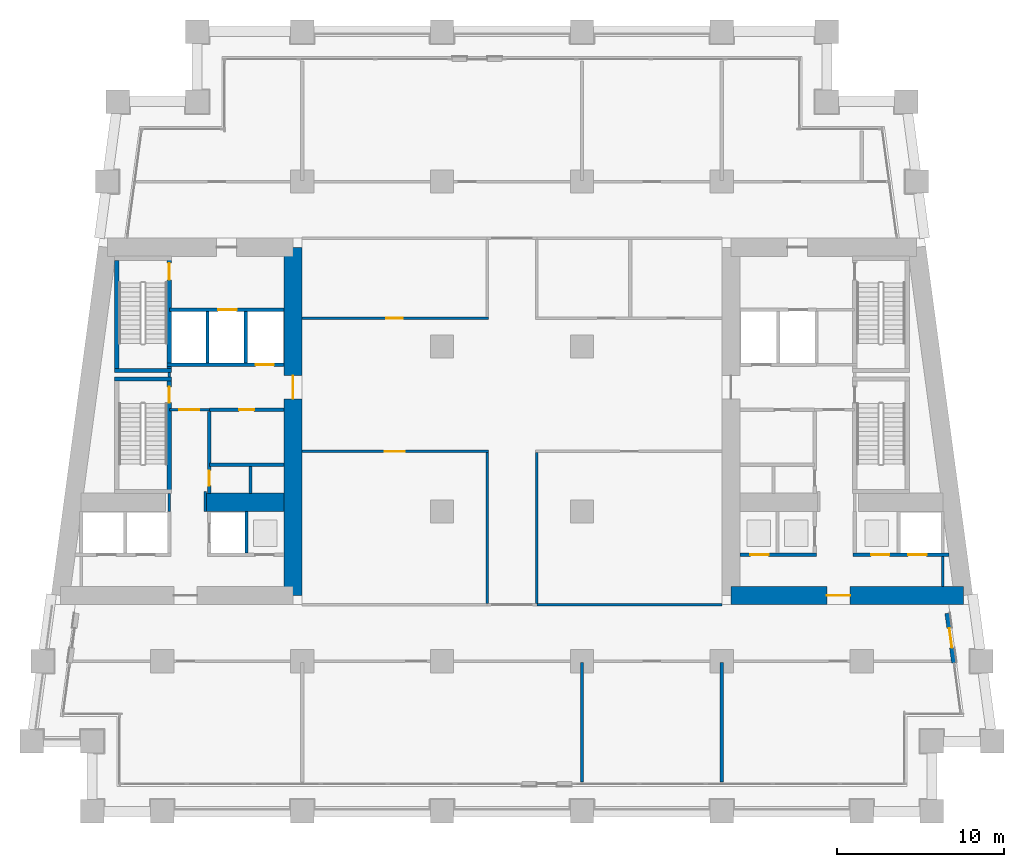
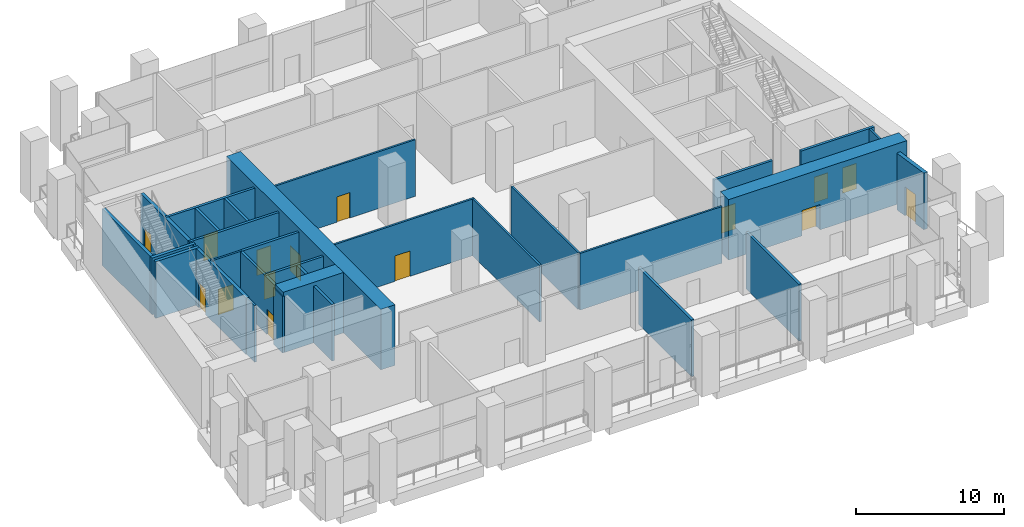
# One storey, part 8 of 15: 32 walls, 15 doors, 15 openings.
"""IFC4 building model written with IfcOpenShell, lengths in metres."""

from ifc_helpers import new_model, si_unit, direction, frame, frame_2d, origin, place, context, subcontext, project, spatial, rectangle, extrude, material, layer, layer_set, type_object, element, fill, save


model = new_model("IFC4")

# Units and contexts
model_context = context("Model", 3, precision=1e-05, world=origin(), true_north=direction((0.0, 1.0)))
body_context = subcontext(model_context, "Body", "Model", "MODEL_VIEW")
ifc_project = project(units=[si_unit("LENGTHUNIT", "METRE"), si_unit("AREAUNIT", "SQUARE_METRE"), si_unit("VOLUMEUNIT", "CUBIC_METRE"), si_unit("PLANEANGLEUNIT", "RADIAN"), si_unit("MASSUNIT", "GRAM", prefix="KILO")], contexts=[model_context])

# Site, building, storey
site_placement = place(None, origin())
site = spatial("IfcSite", under=ifc_project, at=site_placement, CompositionType="ELEMENT")
building_placement = place(site_placement, origin())
building = spatial("IfcBuilding", under=site, at=building_placement, Name="Candeia Pilgrim Tower and Theatre", CompositionType="ELEMENT")
storey_placement = place(building_placement, frame((0.0, 0.0, 86.0)))
storey = spatial("IfcBuildingStorey", under=building, at=storey_placement, Name="L19", CompositionType="ELEMENT", Elevation=86.0)

# Wall, opening, door
ifc_material_1 = material(Name="Concrete C80/95", Category="concrete")
ifc_layer_1 = layer(ifc_material_1, 1.10009765625)
ifc_layer_set_1 = layer_set([ifc_layer_1], Name="Core wall 1100 C80/95")
wall_type_1 = type_object("IfcWallType", Name="Core wall 1100 C80/95", PredefinedType="SHEAR", material=ifc_layer_set_1)
wall_1_placement = place(storey_placement, frame((100.25, 131.85009765625, 0.0), z_axis=(0.0, 0.0, 1.0), x_axis=(0.0, -1.0, 0.0)))
wall_1 = element("IfcWall", 1, at=wall_1_placement, inside=storey, type_object=wall_type_1, Name="Core wall W2", PredefinedType="SHEAR", context=body_context, shape_type="SweptSolid", body=[
    extrude(rectangle(XDim=20.900146484375, YDim=1.10009765625, at=frame_2d((10.4501953125, 0.0))), origin(), (0.0, 0.0, 1.0), 5.0),
])
opening_1_placement = place(wall_1_placement, frame((7.699951171875, 0.0, 0.0)))
opening_1 = element("IfcOpeningElement", 2, at=opening_1_placement, cuts=wall_1, Name="Opening L19-D029", PredefinedType="OPENING", context=body_context, shape_type="SweptSolid", body=[
    extrude(rectangle(XDim=1.39990234375, YDim=2.10009765625, at=frame_2d((0.699951171875, 1.050048828125))), frame((0.0, 0.56005859375, 0.0), z_axis=(0.0, -1.0, 0.0), x_axis=(1.0, 0.0, 0.0)), (0.0, 0.0, 1.0), 1.1201171875),
])
ifc_material_2 = material(Name="Steel fire door set", Category="steel")
door_type_1 = type_object("IfcDoorType", Name="D-1400-FD60", OperationType="NOTDEFINED", PredefinedType="DOOR", material=ifc_material_2)
door_1_placement = place(opening_1_placement, origin())
door_1 = element("IfcDoor", 3, at=door_1_placement, inside=storey, type_object=door_type_1, Name="Door L19-D029", OperationType="SINGLE_SWING_RIGHT", OverallHeight=2.10009765625, OverallWidth=1.39990234375, PredefinedType="DOOR", context=body_context, shape_type="SweptSolid", body=[
    extrude(rectangle(XDim=1.39990234375, YDim=2.10009765625, at=frame_2d((0.699951171875, 1.050048828125))), frame((0.0, 0.02490234375, 0.0), z_axis=(0.0, -1.0, 0.0), x_axis=(1.0, 0.0, 0.0)), (0.0, 0.0, 1.0), 0.050048828125),
])
fill(opening_1, door_1)

# Wall
wall_2_placement = place(storey_placement, frame((95.0, 116.550048828125, 0.0), z_axis=(0.0, 0.0, 1.0), x_axis=(1.0, 0.0, 0.0)))
element("IfcWall", 4, at=wall_2_placement, inside=storey, type_object=wall_type_1, Name="Core wall W6", PredefinedType="SHEAR", context=body_context, shape_type="SweptSolid", body=[
    extrude(rectangle(XDim=4.699951171875, YDim=1.10009765625, at=frame_2d((2.35009765625, 0.0))), origin(), (0.0, 0.0, 1.0), 5.0),
])

# Wall, opening, door
wall_3_placement = place(storey_placement, frame((140.501708984375, 110.949951171875, 0.0), z_axis=(0.0, 0.0, 1.0), x_axis=(-1.0, 0.0, 0.0)))
wall_3 = element("IfcWall", 5, at=wall_3_placement, inside=storey, type_object=wall_type_1, Name="Core wall E3", PredefinedType="SHEAR", context=body_context, shape_type="SweptSolid", body=[
    extrude(rectangle(XDim=13.95166015625, YDim=1.10009765625, at=frame_2d((6.975830078125, 0.0))), origin(), (0.0, 0.0, 1.0), 5.0),
])
opening_2_placement = place(wall_3_placement, frame((6.80419921875, 0.0, 0.0)))
opening_2 = element("IfcOpeningElement", 6, at=opening_2_placement, cuts=wall_3, Name="Opening L19-D030", PredefinedType="OPENING", context=body_context, shape_type="SweptSolid", body=[
    extrude(rectangle(XDim=1.39990234375, YDim=2.10009765625, at=frame_2d((0.699951171875, 1.050048828125))), frame((0.0, 0.56005859375, 0.0), z_axis=(0.0, -1.0, 0.0), x_axis=(1.0, 0.0, 0.0)), (0.0, 0.0, 1.0), 1.1201171875),
])
door_2_placement = place(opening_2_placement, origin())
door_2 = element("IfcDoor", 7, at=door_2_placement, inside=storey, type_object=door_type_1, Name="Door L19-D030", OperationType="SINGLE_SWING_LEFT", OverallHeight=2.10009765625, OverallWidth=1.39990234375, PredefinedType="DOOR", context=body_context, shape_type="SweptSolid", body=[
    extrude(rectangle(XDim=1.39990234375, YDim=2.10009765625, at=frame_2d((0.699951171875, 1.050048828125))), frame((0.0, 0.02490234375, 0.0), z_axis=(0.0, -1.0, 0.0), x_axis=(1.0, 0.0, 0.0)), (0.0, 0.0, 1.0), 0.050048828125),
])
fill(opening_2, door_2)

ifc_material_3 = material(Name="Ceramic block masonry", Category="masonry")
ifc_layer_2 = layer(ifc_material_3, 0.300048828125)
ifc_layer_set_2 = layer_set([ifc_layer_2], Name="EW2 entrance infill wall 300")
wall_type_2 = type_object("IfcWallType", Name="EW2 entrance infill wall 300", PredefinedType="SOLIDWALL", material=ifc_layer_set_2)
wall_4_placement = place(storey_placement, frame((139.935302734375, 106.913330078125, 0.0), z_axis=(0.0, 0.0, 1.0), x_axis=(-0.133464275305, 0.991053624794, 0.0)))
wall_4 = element("IfcWall", 8, at=wall_4_placement, inside=storey, type_object=wall_type_2, Name="Infill wall L19", PredefinedType="SOLIDWALL", context=body_context, shape_type="SweptSolid", body=[
    extrude(rectangle(XDim=3.0, YDim=0.300048828125, at=frame_2d((1.5, 0.0))), origin(), (0.0, 0.0, 1.0), 4.679931640625),
])
opening_3_placement = place(wall_4_placement, frame((0.89990234375, 0.0, 0.0)))
opening_3 = element("IfcOpeningElement", 9, at=opening_3_placement, cuts=wall_4, Name="Opening L19-ED202", PredefinedType="OPENING", context=body_context, shape_type="SweptSolid", body=[
    extrude(rectangle(XDim=1.199951171875, YDim=2.39990234375, at=frame_2d((0.60009765625, 1.199951171875))), frame((0.0, 0.16015625, 0.0), z_axis=(0.0, -1.0, 0.0), x_axis=(1.0, 0.0, 0.0)), (0.0, 0.0, 1.0), 0.320068359375),
])
ifc_material_4 = material(Name="Aluminium framed glazed door", Category="aluminium")
door_type_2 = type_object("IfcDoorType", Name="Loggia door 1200x2400", OperationType="DOUBLE_DOOR_SINGLE_SWING", PredefinedType="DOOR", material=ifc_material_4)
door_3_placement = place(opening_3_placement, origin())
door_3 = element("IfcDoor", 10, at=door_3_placement, inside=storey, type_object=door_type_2, Name="Loggia door L19-ED202", OperationType="DOUBLE_DOOR_SINGLE_SWING", OverallHeight=2.39990234375, OverallWidth=1.199951171875, PredefinedType="DOOR", context=body_context, shape_type="SweptSolid", body=[
    extrude(rectangle(XDim=1.199951171875, YDim=2.39990234375, at=frame_2d((0.60009765625, 1.199951171875))), frame((0.0, 0.02490234375, 0.0), z_axis=(0.0, -1.0, 0.0), x_axis=(1.0, 0.0, 0.0)), (0.0, 0.0, 1.0), 0.050048828125),
])
fill(opening_3, door_3)

ifc_material_5 = material(Name="Gypsum board partition on steel studs", Category="steel")
ifc_layer_3 = layer(ifc_material_5, 0.14990234375)
ifc_layer_set_3 = layer_set([ifc_layer_3], Name="PW-150 lobby wall")
wall_type_3 = type_object("IfcWallType", Name="PW-150 lobby wall", PredefinedType="PARTITIONING", material=ifc_layer_set_3)
wall_5_placement = place(storey_placement, frame((100.800048828125, 119.60009765625, 0.0), z_axis=(0.0, 0.0, 1.0), x_axis=(1.0, 0.0, 0.0)))
wall_5 = element("IfcWall", 11, at=wall_5_placement, inside=storey, type_object=wall_type_3, Name="Lobby wall L19-013", PredefinedType="PARTITIONING", context=body_context, shape_type="SweptSolid", body=[
    extrude(rectangle(XDim=11.175048828125, YDim=0.14990234375, at=frame_2d((5.58740234375, 0.0))), origin(), (0.0, 0.0, 1.0), 4.679931640625),
])
opening_4_placement = place(wall_5_placement, frame((4.949951171875, 0.0, 0.0)))
opening_4 = element("IfcOpeningElement", 12, at=opening_4_placement, cuts=wall_5, Name="Opening L19-D003", PredefinedType="OPENING", context=body_context, shape_type="SweptSolid", body=[
    extrude(rectangle(XDim=1.199951171875, YDim=2.10009765625, at=frame_2d((0.60009765625, 1.050048828125))), frame((0.0, 0.0849609375, 0.0), z_axis=(0.0, -1.0, 0.0), x_axis=(1.0, 0.0, 0.0)), (0.0, 0.0, 1.0), 0.169921875),
])
door_type_3 = type_object("IfcDoorType", Name="D-1200-FD30S", OperationType="NOTDEFINED", PredefinedType="DOOR", material=ifc_material_2)
door_4_placement = place(opening_4_placement, origin())
door_4 = element("IfcDoor", 13, at=door_4_placement, inside=storey, type_object=door_type_3, Name="Door L19-D003", OperationType="SINGLE_SWING_RIGHT", OverallHeight=2.10009765625, OverallWidth=1.199951171875, PredefinedType="DOOR", context=body_context, shape_type="SweptSolid", body=[
    extrude(rectangle(XDim=1.199951171875, YDim=2.10009765625, at=frame_2d((0.60009765625, 1.050048828125))), frame((0.0, 0.02490234375, 0.0), z_axis=(0.0, -1.0, 0.0), x_axis=(1.0, 0.0, 0.0)), (0.0, 0.0, 1.0), 0.050048828125),
])
fill(opening_4, door_4)

wall_6_placement = place(storey_placement, frame((92.826904296875, 122.10009765625, 0.0), z_axis=(0.0, 0.0, 1.0), x_axis=(1.0, 0.0, 0.0)))
wall_6 = element("IfcWall", 14, at=wall_6_placement, inside=storey, type_object=wall_type_3, Name="Lobby wall L19-017", PredefinedType="PARTITIONING", context=body_context, shape_type="SweptSolid", body=[
    extrude(rectangle(XDim=2.400146484375, YDim=0.14990234375, at=frame_2d((1.2001953125, 0.0))), origin(), (0.0, 0.0, 1.0), 4.679931640625),
])
opening_5_placement = place(wall_6_placement, frame((0.60009765625, 0.0, 0.0)))
opening_5 = element("IfcOpeningElement", 15, at=opening_5_placement, cuts=wall_6, Name="Opening L19-D017", PredefinedType="OPENING", context=body_context, shape_type="SweptSolid", body=[
    extrude(rectangle(XDim=1.199951171875, YDim=2.10009765625, at=frame_2d((0.60009765625, 1.050048828125))), frame((0.0, 0.0849609375, 0.0), z_axis=(0.0, -1.0, 0.0), x_axis=(1.0, 0.0, 0.0)), (0.0, 0.0, 1.0), 0.169921875),
])
door_type_4 = type_object("IfcDoorType", Name="D-1200-FD60", OperationType="NOTDEFINED", PredefinedType="DOOR", material=ifc_material_2)
door_5_placement = place(opening_5_placement, origin())
door_5 = element("IfcDoor", 16, at=door_5_placement, inside=storey, type_object=door_type_4, Name="Door L19-D017", OperationType="SINGLE_SWING_RIGHT", OverallHeight=2.10009765625, OverallWidth=1.199951171875, PredefinedType="DOOR", context=body_context, shape_type="SweptSolid", body=[
    extrude(rectangle(XDim=1.199951171875, YDim=2.10009765625, at=frame_2d((0.60009765625, 1.050048828125))), frame((0.0, 0.02490234375, 0.0), z_axis=(0.0, -1.0, 0.0), x_axis=(1.0, 0.0, 0.0)), (0.0, 0.0, 1.0), 0.050048828125),
])
fill(opening_5, door_5)

wall_7_placement = place(storey_placement, frame((100.800048828125, 127.60009765625, 0.0), z_axis=(0.0, 0.0, 1.0), x_axis=(1.0, 0.0, 0.0)))
wall_7 = element("IfcWall", 17, at=wall_7_placement, inside=storey, type_object=wall_type_3, Name="Lobby wall L19-026", PredefinedType="PARTITIONING", context=body_context, shape_type="SweptSolid", body=[
    extrude(rectangle(XDim=11.175048828125, YDim=0.14990234375, at=frame_2d((5.58740234375, 0.0))), origin(), (0.0, 0.0, 1.0), 4.679931640625),
])
opening_6_placement = place(wall_7_placement, frame((5.050048828125, 0.0, 0.0)))
opening_6 = element("IfcOpeningElement", 18, at=opening_6_placement, cuts=wall_7, Name="Opening L19-D005", PredefinedType="OPENING", context=body_context, shape_type="SweptSolid", body=[
    extrude(rectangle(XDim=1.0, YDim=2.10009765625, at=frame_2d((0.5, 1.050048828125))), frame((0.0, 0.0849609375, 0.0), z_axis=(0.0, -1.0, 0.0), x_axis=(1.0, 0.0, 0.0)), (0.0, 0.0, 1.0), 0.169921875),
])
door_type_5 = type_object("IfcDoorType", Name="D-1000-FD30S", OperationType="NOTDEFINED", PredefinedType="DOOR", material=ifc_material_2)
door_6_placement = place(opening_6_placement, origin())
door_6 = element("IfcDoor", 19, at=door_6_placement, inside=storey, type_object=door_type_5, Name="Door L19-D005", OperationType="SINGLE_SWING_RIGHT", OverallHeight=2.10009765625, OverallWidth=1.0, PredefinedType="DOOR", context=body_context, shape_type="SweptSolid", body=[
    extrude(rectangle(XDim=1.0, YDim=2.10009765625, at=frame_2d((0.5, 1.050048828125))), frame((0.0, 0.02490234375, 0.0), z_axis=(0.0, -1.0, 0.0), x_axis=(1.0, 0.0, 0.0)), (0.0, 0.0, 1.0), 0.050048828125),
])
fill(opening_6, door_6)

# Walls
wall_8_placement = place(storey_placement, frame((92.826904296875, 116.0, 0.0), z_axis=(0.0, 0.0, 1.0), x_axis=(0.0, 1.0, 0.0)))
element("IfcWall", 20, at=wall_8_placement, inside=storey, type_object=wall_type_3, Name="Lobby wall L19-043", PredefinedType="PARTITIONING", context=body_context, shape_type="SweptSolid", body=[
    extrude(rectangle(XDim=1.070068359375, YDim=0.14990234375, at=frame_2d((0.53515625, 0.0))), origin(), (0.0, 0.0, 1.0), 4.679931640625),
])
wall_9_placement = place(storey_placement, frame((92.826904296875, 124.074951171875, 0.0), z_axis=(0.0, 0.0, 1.0), x_axis=(0.0, 1.0, 0.0)))
element("IfcWall", 21, at=wall_9_placement, inside=storey, type_object=wall_type_3, Name="Lobby wall L19-044", PredefinedType="PARTITIONING", context=body_context, shape_type="SweptSolid", body=[
    extrude(rectangle(XDim=0.25, YDim=0.14990234375, at=frame_2d((0.125, 0.0))), origin(), (0.0, 0.0, 1.0), 4.679931640625),
])
wall_10_placement = place(storey_placement, frame((95.0, 116.0, 0.0), z_axis=(0.0, 0.0, 1.0), x_axis=(0.0, 1.0, 0.0)))
element("IfcWall", 22, at=wall_10_placement, inside=storey, type_object=wall_type_3, Name="Lobby wall L19-047", PredefinedType="PARTITIONING", context=body_context, shape_type="SweptSolid", body=[
    extrude(rectangle(XDim=1.199951171875, YDim=0.14990234375, at=frame_2d((0.60009765625, 0.0))), origin(), (0.0, 0.0, 1.0), 4.679931640625),
])
for number, where, z_axis, x_axis, name in (
    (23, (111.89990234375, 110.47509765625, 0.0), (0.0, 0.0, 1.0), (0.0, 1.0, 0.0), "Lobby wall L19-056"),
    (24, (114.89990234375, 110.47509765625, 0.0), (0.0, 0.0, 1.0), (0.0, 1.0, 0.0), "Lobby wall L19-058"),
):
    element("IfcWall", number, at=place(storey_placement, frame(where, z_axis=z_axis, x_axis=x_axis)), inside=storey, type_object=wall_type_3, Name=name, PredefinedType="PARTITIONING", context=body_context, shape_type="SweptSolid", body=[
        extrude(rectangle(XDim=9.0498046875, YDim=0.14990234375, at=frame_2d((4.52490234375, 0.0))), origin(), (0.0, 0.0, 1.0), 4.679931640625),
    ])
wall_11_placement = place(storey_placement, frame((139.27001953125, 111.5, 0.0), z_axis=(0.0, 0.0, 1.0), x_axis=(0.0, 1.0, 0.0)))
element("IfcWall", 25, at=wall_11_placement, inside=storey, type_object=wall_type_3, Name="Lobby wall L19-082", PredefinedType="PARTITIONING", context=body_context, shape_type="SweptSolid", body=[
    extrude(rectangle(XDim=1.800048828125, YDim=0.14990234375, at=frame_2d((0.89990234375, 0.0))), origin(), (0.0, 0.0, 1.0), 4.679931640625),
])
ifc_layer_4 = layer(ifc_material_5, 0.14990234375)
ifc_layer_set_4 = layer_set([ifc_layer_4], Name="PW-150 unit wall")
wall_type_4 = type_object("IfcWallType", Name="PW-150 unit wall", PredefinedType="PARTITIONING", material=ifc_layer_set_4)
wall_12_placement = place(storey_placement, frame((114.89990234375, 110.39990234375, 0.0), z_axis=(0.0, 0.0, 1.0), x_axis=(1.0, 0.0, 0.0)))
element("IfcWall", 26, at=wall_12_placement, inside=storey, type_object=wall_type_4, Name="Unit wall L19-004", PredefinedType="PARTITIONING", context=body_context, shape_type="SweptSolid", body=[
    extrude(rectangle(XDim=11.10009765625, YDim=0.14990234375, at=frame_2d((5.550048828125, 0.0))), origin(), (0.0, 0.0, 1.0), 4.679931640625),
])
ifc_layer_5 = layer(ifc_material_5, 0.199951171875)
ifc_layer_set_5 = layer_set([ifc_layer_5], Name="PW-200 party wall")
wall_type_5 = type_object("IfcWallType", Name="PW-200 party wall", PredefinedType="PARTITIONING", material=ifc_layer_set_5)
for number, where, z_axis, x_axis, name in (
    (27, (117.60009765625, 99.760009765625, 0.0), (0.0, 0.0, 1.0), (0.0, 1.0, 0.0), "Party wall L19-060"),
    (28, (126.0, 99.760009765625, 0.0), (0.0, 0.0, 1.0), (0.0, 1.0, 0.0), "Party wall L19-063"),
):
    element("IfcWall", number, at=place(storey_placement, frame(where, z_axis=z_axis, x_axis=x_axis)), inside=storey, type_object=wall_type_5, Name=name, PredefinedType="PARTITIONING", context=body_context, shape_type="SweptSolid", body=[
        extrude(rectangle(XDim=7.1650390625, YDim=0.199951171875, at=frame_2d((3.58251953125, 0.0))), origin(), (0.0, 0.0, 1.0), 4.679931640625),
    ])

# Wall, opening, door
ifc_material_6 = material(Name="Concrete C40/50", Category="concrete")
ifc_layer_6 = layer(ifc_material_6, 0.199951171875)
ifc_layer_set_6 = layer_set([ifc_layer_6], Name="SW-200 shaft wall")
wall_type_6 = type_object("IfcWallType", Name="SW-200 shaft wall", PredefinedType="PARTITIONING", material=ifc_layer_set_6)
wall_13_placement = place(storey_placement, frame((127.10009765625, 113.39990234375, 0.0), z_axis=(0.0, 0.0, 1.0), x_axis=(1.0, 0.0, 0.0)))
wall_13 = element("IfcWall", 29, at=wall_13_placement, inside=storey, type_object=wall_type_6, Name="Shaft wall L19-007", PredefinedType="PARTITIONING", context=body_context, shape_type="SweptSolid", body=[
    extrude(rectangle(XDim=4.572998046875, YDim=0.199951171875, at=frame_2d((2.28662109375, 0.0))), origin(), (0.0, 0.0, 1.0), 4.679931640625),
])
opening_7_placement = place(wall_13_placement, frame((0.612060546875, 0.0, 0.0)))
opening_7 = element("IfcOpeningElement", 30, at=opening_7_placement, cuts=wall_13, Name="Opening L19-LD12", PredefinedType="OPENING", context=body_context, shape_type="SweptSolid", body=[
    extrude(rectangle(XDim=1.10009765625, YDim=2.10009765625, at=frame_2d((0.550048828125, 1.050048828125))), frame((0.0, 0.10986328125, 0.0), z_axis=(0.0, -1.0, 0.0), x_axis=(1.0, 0.0, 0.0)), (0.0, 0.0, 1.0), 0.219970703125),
])
ifc_material_7 = material(Name="Glazed aluminium landing door", Category="aluminium")
door_type_6 = type_object("IfcDoorType", Name="LD-1100-EI120", OperationType="SLIDING_TO_LEFT", PredefinedType="DOOR", material=ifc_material_7)
door_7_placement = place(opening_7_placement, origin())
door_7 = element("IfcDoor", 31, at=door_7_placement, inside=storey, type_object=door_type_6, Name="Landing door 12 L19", OperationType="SLIDING_TO_LEFT", OverallHeight=2.10009765625, OverallWidth=1.10009765625, PredefinedType="DOOR", context=body_context, shape_type="SweptSolid", body=[
    extrude(rectangle(XDim=1.10009765625, YDim=2.10009765625, at=frame_2d((0.550048828125, 1.050048828125))), frame((0.0, 0.02490234375, 0.0), z_axis=(0.0, -1.0, 0.0), x_axis=(1.0, 0.0, 0.0)), (0.0, 0.0, 1.0), 0.050048828125),
])
fill(opening_7, door_7)

# Wall, openings, doors
wall_14_placement = place(storey_placement, frame((133.873046875, 113.39990234375, 0.0), z_axis=(0.0, 0.0, 1.0), x_axis=(1.0, 0.0, 0.0)))
wall_14 = element("IfcWall", 32, at=wall_14_placement, inside=storey, type_object=wall_type_6, Name="Shaft wall L19-008", PredefinedType="PARTITIONING", context=body_context, shape_type="SweptSolid", body=[
    extrude(rectangle(XDim=5.77392578125, YDim=0.199951171875, at=frame_2d((2.886962890625, 0.0))), origin(), (0.0, 0.0, 1.0), 4.679931640625),
])
opening_8_placement = place(wall_14_placement, frame((3.31103515625, 0.0, 0.0)))
opening_8 = element("IfcOpeningElement", 33, at=opening_8_placement, cuts=wall_14, Name="Opening L19-LD09", PredefinedType="OPENING", context=body_context, shape_type="SweptSolid", body=[
    extrude(rectangle(XDim=1.10009765625, YDim=2.10009765625, at=frame_2d((0.550048828125, 1.050048828125))), frame((0.0, 0.10986328125, 0.0), z_axis=(0.0, -1.0, 0.0), x_axis=(1.0, 0.0, 0.0)), (0.0, 0.0, 1.0), 0.219970703125),
])
opening_9_placement = place(wall_14_placement, frame((1.0859375, 0.0, 0.0)))
opening_9 = element("IfcOpeningElement", 34, at=opening_9_placement, cuts=wall_14, Name="Opening L19-LD10", PredefinedType="OPENING", context=body_context, shape_type="SweptSolid", body=[
    extrude(rectangle(XDim=1.10009765625, YDim=2.10009765625, at=frame_2d((0.550048828125, 1.050048828125))), frame((0.0, 0.10986328125, 0.0), z_axis=(0.0, -1.0, 0.0), x_axis=(1.0, 0.0, 0.0)), (0.0, 0.0, 1.0), 0.219970703125),
])
door_8_placement = place(opening_8_placement, origin())
door_8 = element("IfcDoor", 35, at=door_8_placement, inside=storey, type_object=door_type_6, Name="Landing door 09 L19", OperationType="SLIDING_TO_LEFT", OverallHeight=2.10009765625, OverallWidth=1.10009765625, PredefinedType="DOOR", context=body_context, shape_type="SweptSolid", body=[
    extrude(rectangle(XDim=1.10009765625, YDim=2.10009765625, at=frame_2d((0.550048828125, 1.050048828125))), frame((0.0, 0.02490234375, 0.0), z_axis=(0.0, -1.0, 0.0), x_axis=(1.0, 0.0, 0.0)), (0.0, 0.0, 1.0), 0.050048828125),
])
fill(opening_8, door_8)
door_9_placement = place(opening_9_placement, origin())
door_9 = element("IfcDoor", 36, at=door_9_placement, inside=storey, type_object=door_type_6, Name="Landing door 10 L19", OperationType="SLIDING_TO_LEFT", OverallHeight=2.10009765625, OverallWidth=1.10009765625, PredefinedType="DOOR", context=body_context, shape_type="SweptSolid", body=[
    extrude(rectangle(XDim=1.10009765625, YDim=2.10009765625, at=frame_2d((0.550048828125, 1.050048828125))), frame((0.0, 0.02490234375, 0.0), z_axis=(0.0, -1.0, 0.0), x_axis=(1.0, 0.0, 0.0)), (0.0, 0.0, 1.0), 0.050048828125),
])
fill(opening_9, door_9)

# Wall
wall_15_placement = place(storey_placement, frame((95.22705078125, 118.800048828125, 0.0), z_axis=(0.0, 0.0, 1.0), x_axis=(1.0, 0.0, 0.0)))
element("IfcWall", 37, at=wall_15_placement, inside=storey, type_object=wall_type_6, Name="Shaft wall L19-011", PredefinedType="PARTITIONING", context=body_context, shape_type="SweptSolid", body=[
    extrude(rectangle(XDim=4.472900390625, YDim=0.199951171875, at=frame_2d((2.236328125, 0.0))), origin(), (0.0, 0.0, 1.0), 4.679931640625),
])

# Wall, opening, door
wall_16_placement = place(storey_placement, frame((95.22705078125, 122.10009765625, 0.0), z_axis=(0.0, 0.0, 1.0), x_axis=(1.0, 0.0, 0.0)))
wall_16 = element("IfcWall", 38, at=wall_16_placement, inside=storey, type_object=wall_type_6, Name="Shaft wall L19-015", PredefinedType="PARTITIONING", context=body_context, shape_type="SweptSolid", body=[
    extrude(rectangle(XDim=4.472900390625, YDim=0.199951171875, at=frame_2d((2.236328125, 0.0))), origin(), (0.0, 0.0, 1.0), 4.679931640625),
])
opening_10_placement = place(wall_16_placement, frame((1.785888671875, 0.0, 0.0)))
opening_10 = element("IfcOpeningElement", 39, at=opening_10_placement, cuts=wall_16, Name="Opening L19-D018", PredefinedType="OPENING", context=body_context, shape_type="SweptSolid", body=[
    extrude(rectangle(XDim=0.89990234375, YDim=2.10009765625, at=frame_2d((0.449951171875, 1.050048828125))), frame((0.0, 0.10986328125, 0.0), z_axis=(0.0, -1.0, 0.0), x_axis=(1.0, 0.0, 0.0)), (0.0, 0.0, 1.0), 0.219970703125),
])
door_type_7 = type_object("IfcDoorType", Name="D-900-FD60", OperationType="NOTDEFINED", PredefinedType="DOOR", material=ifc_material_2)
door_10_placement = place(opening_10_placement, origin())
door_10 = element("IfcDoor", 40, at=door_10_placement, inside=storey, type_object=door_type_7, Name="Door L19-D018", OperationType="SINGLE_SWING_LEFT", OverallHeight=2.10009765625, OverallWidth=0.89990234375, PredefinedType="DOOR", context=body_context, shape_type="SweptSolid", body=[
    extrude(rectangle(XDim=0.89990234375, YDim=2.10009765625, at=frame_2d((0.449951171875, 1.050048828125))), frame((0.0, 0.02490234375, 0.0), z_axis=(0.0, -1.0, 0.0), x_axis=(1.0, 0.0, 0.0)), (0.0, 0.0, 1.0), 0.050048828125),
])
fill(opening_10, door_10)

wall_17_placement = place(storey_placement, frame((92.701904296875, 124.800048828125, 0.0), z_axis=(0.0, 0.0, 1.0), x_axis=(1.0, 0.0, 0.0)))
wall_17 = element("IfcWall", 41, at=wall_17_placement, inside=storey, type_object=wall_type_6, Name="Shaft wall L19-023", PredefinedType="PARTITIONING", context=body_context, shape_type="SweptSolid", body=[
    extrude(rectangle(XDim=6.998046875, YDim=0.199951171875, at=frame_2d((3.4990234375, 0.0))), origin(), (0.0, 0.0, 1.0), 4.679931640625),
])
opening_11_placement = place(wall_17_placement, frame((5.302001953125, 0.0, 0.0)))
opening_11 = element("IfcOpeningElement", 42, at=opening_11_placement, cuts=wall_17, Name="Opening L19-LD02", PredefinedType="OPENING", context=body_context, shape_type="SweptSolid", body=[
    extrude(rectangle(XDim=1.10009765625, YDim=2.10009765625, at=frame_2d((0.550048828125, 1.050048828125))), frame((0.0, 0.10986328125, 0.0), z_axis=(0.0, -1.0, 0.0), x_axis=(1.0, 0.0, 0.0)), (0.0, 0.0, 1.0), 0.219970703125),
])
door_11_placement = place(opening_11_placement, origin())
door_11 = element("IfcDoor", 43, at=door_11_placement, inside=storey, type_object=door_type_6, Name="Landing door 02 L19", OperationType="SLIDING_TO_LEFT", OverallHeight=2.10009765625, OverallWidth=1.10009765625, PredefinedType="DOOR", context=body_context, shape_type="SweptSolid", body=[
    extrude(rectangle(XDim=1.10009765625, YDim=2.10009765625, at=frame_2d((0.550048828125, 1.050048828125))), frame((0.0, 0.02490234375, 0.0), z_axis=(0.0, -1.0, 0.0), x_axis=(1.0, 0.0, 0.0)), (0.0, 0.0, 1.0), 0.050048828125),
])
fill(opening_11, door_11)

wall_18_placement = place(storey_placement, frame((92.826904296875, 128.10009765625, 0.0), z_axis=(0.0, 0.0, 1.0), x_axis=(1.0, 0.0, 0.0)))
wall_18 = element("IfcWall", 44, at=wall_18_placement, inside=storey, type_object=wall_type_6, Name="Shaft wall L19-028", PredefinedType="PARTITIONING", context=body_context, shape_type="SweptSolid", body=[
    extrude(rectangle(XDim=6.873046875, YDim=0.199951171875, at=frame_2d((3.4365234375, 0.0))), origin(), (0.0, 0.0, 1.0), 4.679931640625),
])
opening_12_placement = place(wall_18_placement, frame((2.93603515625, 0.0, 0.0)))
opening_12 = element("IfcOpeningElement", 45, at=opening_12_placement, cuts=wall_18, Name="Opening L19-LD01", PredefinedType="OPENING", context=body_context, shape_type="SweptSolid", body=[
    extrude(rectangle(XDim=1.10009765625, YDim=2.10009765625, at=frame_2d((0.550048828125, 1.050048828125))), frame((0.0, 0.10986328125, 0.0), z_axis=(0.0, -1.0, 0.0), x_axis=(1.0, 0.0, 0.0)), (0.0, 0.0, 1.0), 0.219970703125),
])
door_12_placement = place(opening_12_placement, origin())
door_12 = element("IfcDoor", 46, at=door_12_placement, inside=storey, type_object=door_type_6, Name="Landing door 01 L19", OperationType="SLIDING_TO_LEFT", OverallHeight=2.10009765625, OverallWidth=1.10009765625, PredefinedType="DOOR", context=body_context, shape_type="SweptSolid", body=[
    extrude(rectangle(XDim=1.10009765625, YDim=2.10009765625, at=frame_2d((0.550048828125, 1.050048828125))), frame((0.0, 0.02490234375, 0.0), z_axis=(0.0, -1.0, 0.0), x_axis=(1.0, 0.0, 0.0)), (0.0, 0.0, 1.0), 0.050048828125),
])
fill(opening_12, door_12)

# Wall
wall_19_placement = place(storey_placement, frame((95.117919921875, 124.89990234375, 0.0), z_axis=(0.0, 0.0, 1.0), x_axis=(0.0, 1.0, 0.0)))
element("IfcWall", 47, at=wall_19_placement, inside=storey, type_object=wall_type_6, Name="Shaft wall L19-048", PredefinedType="PARTITIONING", context=body_context, shape_type="SweptSolid", body=[
    extrude(rectangle(XDim=3.10009765625, YDim=0.199951171875, at=frame_2d((1.550048828125, 0.0))), origin(), (0.0, 0.0, 1.0), 4.679931640625),
])

# Wall, opening, door
wall_20_placement = place(storey_placement, frame((95.22705078125, 117.070068359375, 0.0), z_axis=(0.0, 0.0, 1.0), x_axis=(0.0, 1.0, 0.0)))
wall_20 = element("IfcWall", 48, at=wall_20_placement, inside=storey, type_object=wall_type_6, Name="Shaft wall L19-050", PredefinedType="PARTITIONING", context=body_context, shape_type="SweptSolid", body=[
    extrude(rectangle(XDim=4.929931640625, YDim=0.199951171875, at=frame_2d((2.46484375, 0.0))), origin(), (0.0, 0.0, 1.0), 4.679931640625),
])
opening_13_placement = place(wall_20_placement, frame((0.47998046875, 0.0, 0.0)))
opening_13 = element("IfcOpeningElement", 49, at=opening_13_placement, cuts=wall_20, Name="Opening L19-D021", PredefinedType="OPENING", context=body_context, shape_type="SweptSolid", body=[
    extrude(rectangle(XDim=0.89990234375, YDim=2.10009765625, at=frame_2d((0.449951171875, 1.050048828125))), frame((0.0, 0.10986328125, 0.0), z_axis=(0.0, -1.0, 0.0), x_axis=(1.0, 0.0, 0.0)), (0.0, 0.0, 1.0), 0.219970703125),
])
door_13_placement = place(opening_13_placement, origin())
door_13 = element("IfcDoor", 50, at=door_13_placement, inside=storey, type_object=door_type_7, Name="Door L19-D021", OperationType="SINGLE_SWING_RIGHT", OverallHeight=2.10009765625, OverallWidth=0.89990234375, PredefinedType="DOOR", context=body_context, shape_type="SweptSolid", body=[
    extrude(rectangle(XDim=0.89990234375, YDim=2.10009765625, at=frame_2d((0.449951171875, 1.050048828125))), frame((0.0, 0.02490234375, 0.0), z_axis=(0.0, -1.0, 0.0), x_axis=(1.0, 0.0, 0.0)), (0.0, 0.0, 1.0), 0.050048828125),
])
fill(opening_13, door_13)

# Walls
wall_21_placement = place(storey_placement, frame((97.408935546875, 124.89990234375, 0.0), z_axis=(0.0, 0.0, 1.0), x_axis=(0.0, 1.0, 0.0)))
element("IfcWall", 51, at=wall_21_placement, inside=storey, type_object=wall_type_6, Name="Shaft wall L19-051", PredefinedType="PARTITIONING", context=body_context, shape_type="SweptSolid", body=[
    extrude(rectangle(XDim=3.10009765625, YDim=0.199951171875, at=frame_2d((1.550048828125, 0.0))), origin(), (0.0, 0.0, 1.0), 4.679931640625),
])
wall_22_placement = place(storey_placement, frame((97.46337890625, 113.5, 0.0), z_axis=(0.0, 0.0, 1.0), x_axis=(0.0, 1.0, 0.0)))
element("IfcWall", 52, at=wall_22_placement, inside=storey, type_object=wall_type_6, Name="Shaft wall L19-052", PredefinedType="PARTITIONING", context=body_context, shape_type="SweptSolid", body=[
    extrude(rectangle(XDim=2.5, YDim=0.199951171875, at=frame_2d((1.25, 0.0))), origin(), (0.0, 0.0, 1.0), 4.679931640625),
])
wall_23_placement = place(storey_placement, frame((97.699951171875, 117.070068359375, 0.0), z_axis=(0.0, 0.0, 1.0), x_axis=(0.0, 1.0, 0.0)))
element("IfcWall", 53, at=wall_23_placement, inside=storey, type_object=wall_type_6, Name="Shaft wall L19-053", PredefinedType="PARTITIONING", context=body_context, shape_type="SweptSolid", body=[
    extrude(rectangle(XDim=1.6298828125, YDim=0.199951171875, at=frame_2d((0.81494140625, 0.0))), origin(), (0.0, 0.0, 1.0), 4.679931640625),
])
ifc_layer_7 = layer(ifc_material_6, 0.25)
ifc_layer_set_7 = layer_set([ifc_layer_7], Name="SW-250 stair wall")
wall_type_7 = type_object("IfcWallType", Name="SW-250 stair wall", PredefinedType="PARTITIONING", material=ifc_layer_set_7)
for number, where, z_axis, x_axis, name in (
    (54, (89.552001953125, 123.949951171875, 0.0), (0.0, 0.0, 1.0), (1.0, 0.0, 0.0), "Stair wall L19-019"),
    (55, (89.552001953125, 124.449951171875, 0.0), (0.0, 0.0, 1.0), (1.0, 0.0, 0.0), "Stair wall L19-021"),
):
    element("IfcWall", number, at=place(storey_placement, frame(where, z_axis=z_axis, x_axis=x_axis)), inside=storey, type_object=wall_type_7, Name=name, PredefinedType="PARTITIONING", context=body_context, shape_type="SweptSolid", body=[
        extrude(rectangle(XDim=3.39990234375, YDim=0.25, at=frame_2d((1.699951171875, 0.0))), origin(), (0.0, 0.0, 1.0), 4.679931640625),
    ])
wall_24_placement = place(storey_placement, frame((89.677001953125, 124.574951171875, 0.0), z_axis=(0.0, 0.0, 1.0), x_axis=(0.0, 1.0, 0.0)))
element("IfcWall", 56, at=wall_24_placement, inside=storey, type_object=wall_type_7, Name="Stair wall L19-040", PredefinedType="PARTITIONING", context=body_context, shape_type="SweptSolid", body=[
    extrude(rectangle(XDim=6.5, YDim=0.25, at=frame_2d((3.25, 0.0))), origin(), (0.0, 0.0, 1.0), 4.679931640625),
])

# Wall, opening, door
wall_25_placement = place(storey_placement, frame((92.826904296875, 117.070068359375, 0.0), z_axis=(0.0, 0.0, 1.0), x_axis=(0.0, 1.0, 0.0)))
wall_25 = element("IfcWall", 57, at=wall_25_placement, inside=storey, type_object=wall_type_7, Name="Stair wall L19-045", PredefinedType="PARTITIONING", context=body_context, shape_type="SweptSolid", body=[
    extrude(rectangle(XDim=6.7548828125, YDim=0.25, at=frame_2d((3.37744140625, 0.0))), origin(), (0.0, 0.0, 1.0), 4.679931640625),
])
opening_14_placement = place(wall_25_placement, frame((5.455078125, 0.0, 0.0)))
opening_14 = element("IfcOpeningElement", 58, at=opening_14_placement, cuts=wall_25, Name="Opening L19-D019", PredefinedType="OPENING", context=body_context, shape_type="SweptSolid", body=[
    extrude(rectangle(XDim=0.949951171875, YDim=2.10009765625, at=frame_2d((0.47509765625, 1.050048828125))), frame((0.0, 0.135009765625, 0.0), z_axis=(0.0, -1.0, 0.0), x_axis=(1.0, 0.0, 0.0)), (0.0, 0.0, 1.0), 0.27001953125),
])
door_type_8 = type_object("IfcDoorType", Name="D-950-FD60", OperationType="NOTDEFINED", PredefinedType="DOOR", material=ifc_material_2)
door_14_placement = place(opening_14_placement, origin())
door_14 = element("IfcDoor", 59, at=door_14_placement, inside=storey, type_object=door_type_8, Name="Door L19-D019", OperationType="SINGLE_SWING_RIGHT", OverallHeight=2.10009765625, OverallWidth=0.949951171875, PredefinedType="DOOR", context=body_context, shape_type="SweptSolid", body=[
    extrude(rectangle(XDim=0.949951171875, YDim=2.10009765625, at=frame_2d((0.47509765625, 1.050048828125))), frame((0.0, 0.02490234375, 0.0), z_axis=(0.0, -1.0, 0.0), x_axis=(1.0, 0.0, 0.0)), (0.0, 0.0, 1.0), 0.050048828125),
])
fill(opening_14, door_14)

wall_26_placement = place(storey_placement, frame((92.826904296875, 124.574951171875, 0.0), z_axis=(0.0, 0.0, 1.0), x_axis=(0.0, 1.0, 0.0)))
wall_26 = element("IfcWall", 60, at=wall_26_placement, inside=storey, type_object=wall_type_7, Name="Stair wall L19-046", PredefinedType="PARTITIONING", context=body_context, shape_type="SweptSolid", body=[
    extrude(rectangle(XDim=6.755126953125, YDim=0.25, at=frame_2d((3.37744140625, 0.0))), origin(), (0.0, 0.0, 1.0), 4.679931640625),
])
opening_15_placement = place(wall_26_placement, frame((5.324951171875, 0.0, 0.0)))
opening_15 = element("IfcOpeningElement", 61, at=opening_15_placement, cuts=wall_26, Name="Opening L19-D020", PredefinedType="OPENING", context=body_context, shape_type="SweptSolid", body=[
    extrude(rectangle(XDim=1.0, YDim=2.10009765625, at=frame_2d((0.5, 1.050048828125))), frame((0.0, 0.135009765625, 0.0), z_axis=(0.0, -1.0, 0.0), x_axis=(1.0, 0.0, 0.0)), (0.0, 0.0, 1.0), 0.27001953125),
])
door_type_9 = type_object("IfcDoorType", Name="D-1000-FD60", OperationType="NOTDEFINED", PredefinedType="DOOR", material=ifc_material_2)
door_15_placement = place(opening_15_placement, origin())
door_15 = element("IfcDoor", 62, at=door_15_placement, inside=storey, type_object=door_type_9, Name="Door L19-D020", OperationType="SINGLE_SWING_LEFT", OverallHeight=2.10009765625, OverallWidth=1.0, PredefinedType="DOOR", context=body_context, shape_type="SweptSolid", body=[
    extrude(rectangle(XDim=1.0, YDim=2.10009765625, at=frame_2d((0.5, 1.050048828125))), frame((0.0, 0.02490234375, 0.0), z_axis=(0.0, -1.0, 0.0), x_axis=(1.0, 0.0, 0.0)), (0.0, 0.0, 1.0), 0.050048828125),
])
fill(opening_15, door_15)

save(model, "model.ifc")
